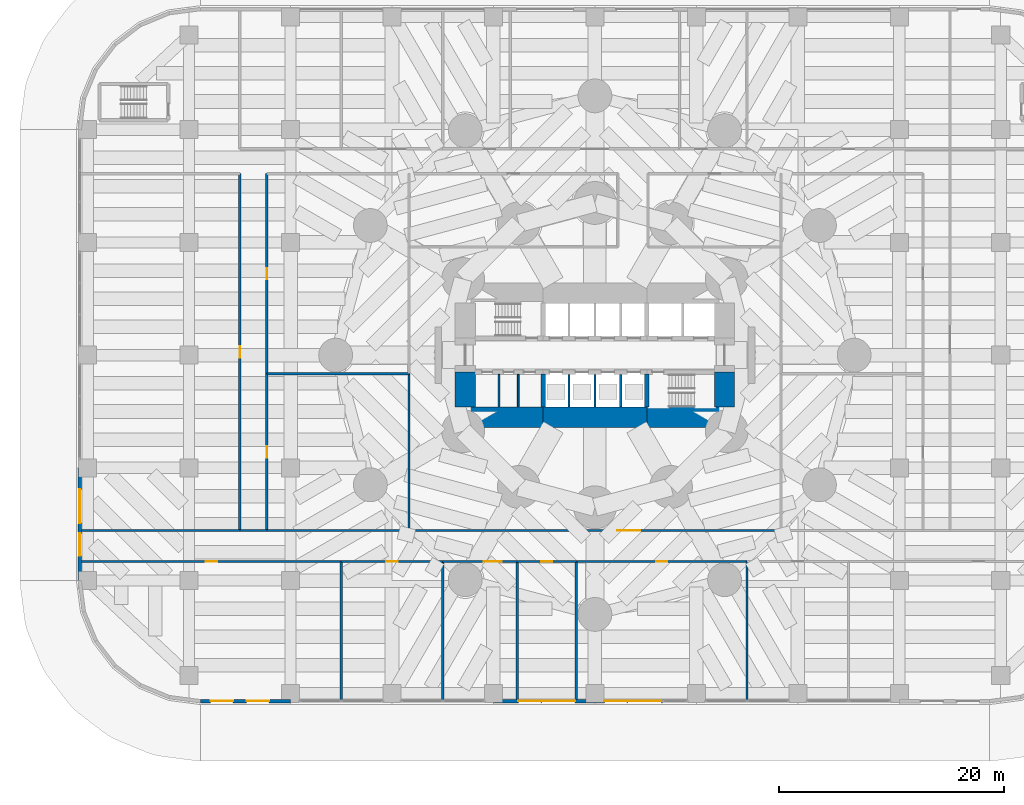
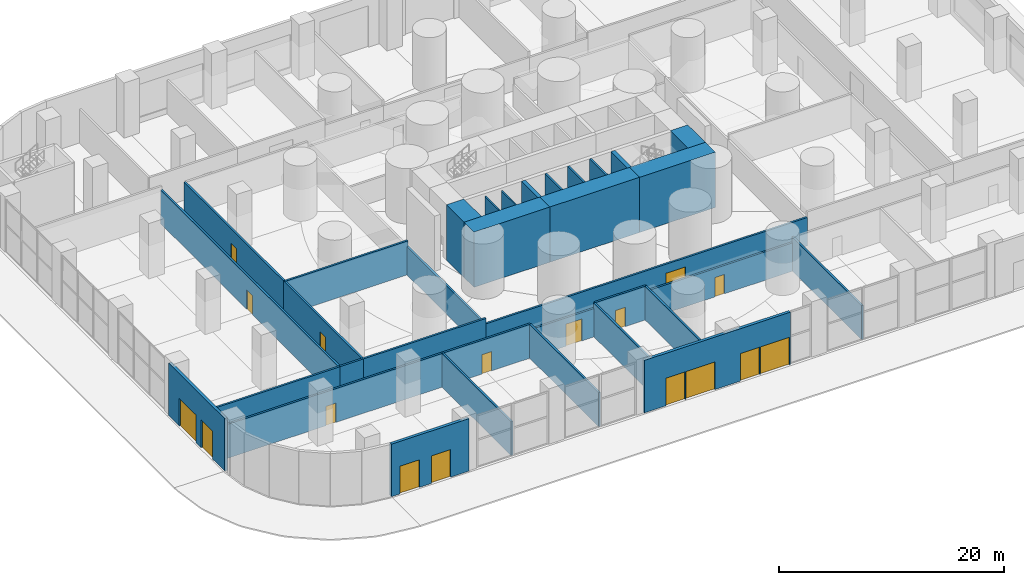
# One storey, part 12 of 20: 34 walls, 17 doors, 17 openings.
"""IFC4 building model written with IfcOpenShell, lengths in metres."""

from ifc_helpers import new_model, si_unit, direction, frame, frame_2d, origin, place, context, subcontext, project, spatial, rectangle, extrude, material, layer, layer_set, type_object, element, fill, save


model = new_model("IFC4")

# Units and contexts
model_context = context("Model", 3, precision=1e-05, world=origin(), true_north=direction((0.0, 1.0)))
body_context = subcontext(model_context, "Body", "Model", "MODEL_VIEW")
ifc_project = project(units=[si_unit("LENGTHUNIT", "METRE"), si_unit("AREAUNIT", "SQUARE_METRE"), si_unit("VOLUMEUNIT", "CUBIC_METRE"), si_unit("PLANEANGLEUNIT", "RADIAN"), si_unit("MASSUNIT", "GRAM", prefix="KILO")], contexts=[model_context])

# Site, building, storey
site_placement = place(None, origin())
site = spatial("IfcSite", under=ifc_project, at=site_placement, CompositionType="ELEMENT")
building_placement = place(site_placement, origin())
building = spatial("IfcBuilding", under=site, at=building_placement, Name="Qaws Media Tower", CompositionType="ELEMENT")
storey_placement = place(building_placement, origin())
storey = spatial("IfcBuildingStorey", under=building, at=storey_placement, Name="L00", CompositionType="ELEMENT", Elevation=0.0)

# Walls
ifc_material_1 = material(Name="Concrete C60/75", Category="concrete")
ifc_layer_1 = layer(ifc_material_1, 0.39990234375)
ifc_layer_set_1 = layer_set([ifc_layer_1], Name="Core inner wall 400")
wall_type_1 = type_object("IfcWallType", Name="Core inner wall 400", PredefinedType="SHEAR", material=ifc_layer_set_1)
for number, where, z_axis, x_axis, name in (
    (1, (55.39990234375, 48.320068359375, 0.0), (0.0, 0.0, 1.0), (0.0, -1.0, 0.0), "W312 SW4 core wall XSW L00"),
    (2, (64.60009765625, 48.320068359375, 0.0), (0.0, 0.0, 1.0), (0.0, -1.0, 0.0), "W316 SW4 core wall XSE L00"),
):
    element("IfcWall", number, at=place(storey_placement, frame(where, z_axis=z_axis, x_axis=x_axis)), inside=storey, type_object=wall_type_1, Name=name, PredefinedType="SHEAR", context=body_context, shape_type="SweptSolid", body=[
        extrude(rectangle(XDim=2.940185546875, YDim=0.39990234375, at=frame_2d((1.47021484375, 0.0))), origin(), (0.0, 0.0, 1.0), 6.0),
    ])
ifc_material_2 = material(Name="Concrete C60/75", Category="concrete")
ifc_layer_2 = layer(ifc_material_2, 1.800048828125)
ifc_layer_set_2 = layer_set([ifc_layer_2], Name="Core wall 1800")
wall_type_2 = type_object("IfcWallType", Name="Core wall 1800", PredefinedType="SHEAR", material=ifc_layer_set_2)
wall_1_placement = place(storey_placement, frame((47.60009765625, 44.5, 0.0), z_axis=(0.0, 0.0, 1.0), x_axis=(1.0, 0.0, 0.0)))
element("IfcWall", 3, at=wall_1_placement, inside=storey, type_object=wall_type_2, Name="W398 SW11 core wall SW L00", PredefinedType="SHEAR", context=body_context, shape_type="SweptSolid", body=[
    extrude(rectangle(XDim=7.7998046875, YDim=1.800048828125, at=frame_2d((3.89990234375, 0.0))), origin(), (0.0, 0.0, 1.0), 6.0),
])
wall_2_placement = place(storey_placement, frame((55.39990234375, 44.5, 0.0), z_axis=(0.0, 0.0, 1.0), x_axis=(1.0, 0.0, 0.0)))
element("IfcWall", 4, at=wall_2_placement, inside=storey, type_object=wall_type_2, Name="W403 SW11 core wall S L00", PredefinedType="SHEAR", context=body_context, shape_type="SweptSolid", body=[
    extrude(rectangle(XDim=9.2001953125, YDim=1.800048828125, at=frame_2d((4.60009765625, 0.0))), origin(), (0.0, 0.0, 1.0), 6.0),
])
wall_3_placement = place(storey_placement, frame((64.60009765625, 44.5, 0.0), z_axis=(0.0, 0.0, 1.0), x_axis=(1.0, 0.0, 0.0)))
element("IfcWall", 5, at=wall_3_placement, inside=storey, type_object=wall_type_2, Name="W405 SW11 core wall SE L00", PredefinedType="SHEAR", context=body_context, shape_type="SweptSolid", body=[
    extrude(rectangle(XDim=7.7998046875, YDim=1.800048828125, at=frame_2d((3.89990234375, 0.0))), origin(), (0.0, 0.0, 1.0), 6.0),
])
for number, where, z_axis, x_axis, name in (
    (6, (71.5, 45.3798828125, 0.0), (0.0, 0.0, 1.0), (0.0, 1.0, 0.0), "W407 SW11 core wall ES L00"),
    (7, (48.5, 45.3798828125, 0.0), (0.0, 0.0, 1.0), (0.0, 1.0, 0.0), "W400 SW11 core wall WS L00"),
):
    element("IfcWall", number, at=place(storey_placement, frame(where, z_axis=z_axis, x_axis=x_axis)), inside=storey, type_object=wall_type_2, Name=name, PredefinedType="SHEAR", context=body_context, shape_type="SweptSolid", body=[
        extrude(rectangle(XDim=3.1201171875, YDim=1.800048828125, at=frame_2d((1.56005859375, 0.0))), origin(), (0.0, 0.0, 1.0), 6.0),
    ])

# Wall, openings, doors
ifc_material_3 = material(Name="Precast concrete, exposed finish", Category="concrete")
ifc_layer_3 = layer(ifc_material_3, 0.300048828125)
ifc_layer_set_3 = layer_set([ifc_layer_3], Name="Podium facade wall 300")
wall_type_3 = type_object("IfcWallType", Name="Podium facade wall 300", PredefinedType="SOLIDWALL", material=ifc_layer_set_3)
wall_4_placement = place(storey_placement, frame((14.300048828125, 40.0, 0.0), z_axis=(0.0, 0.0, 1.0), x_axis=(0.0, -1.0, 0.0)))
wall_4 = element("IfcWall", 8, at=wall_4_placement, inside=storey, type_object=wall_type_3, Name="W764 EW2 podium wall L00-21", PredefinedType="SOLIDWALL", context=body_context, shape_type="SweptSolid", body=[
    extrude(rectangle(XDim=10.0, YDim=0.300048828125, at=frame_2d((5.0, 0.0))), origin(), (0.0, 0.0, 1.0), 5.699951171875),
])
opening_1_placement = place(wall_4_placement, frame((1.89990234375, 0.0, 0.0)))
opening_1 = element("IfcOpeningElement", 9, at=opening_1_placement, cuts=wall_4, Name="Opening D8", PredefinedType="OPENING", context=body_context, shape_type="SweptSolid", body=[
    extrude(rectangle(XDim=3.0, YDim=3.0, at=frame_2d((1.5, 1.5))), frame((0.0, 0.159912109375, 0.0), z_axis=(0.0, -1.0, 0.0), x_axis=(1.0, 0.0, 0.0)), (0.0, 0.0, 1.0), 0.320068359375),
])
opening_2_placement = place(wall_4_placement, frame((5.800048828125, 0.0, 0.0)))
opening_2 = element("IfcOpeningElement", 10, at=opening_2_placement, cuts=wall_4, Name="Opening D9", PredefinedType="OPENING", context=body_context, shape_type="SweptSolid", body=[
    extrude(rectangle(XDim=2.0, YDim=3.0, at=frame_2d((1.0, 1.5))), frame((0.0, 0.159912109375, 0.0), z_axis=(0.0, -1.0, 0.0), x_axis=(1.0, 0.0, 0.0)), (0.0, 0.0, 1.0), 0.320068359375),
])
ifc_material_4 = material(Name="Aluminium and clear glass", Category="aluminium")
door_type_1 = type_object("IfcDoorType", Name="Entrance door pair 3000", OperationType="DOUBLE_DOOR_SLIDING", PredefinedType="DOOR", material=ifc_material_4)
door_1_placement = place(opening_1_placement, origin())
door_1 = element("IfcDoor", 11, at=door_1_placement, inside=storey, type_object=door_type_1, Name="D8 door L00 bay 2 in wall W764", OperationType="DOUBLE_DOOR_SLIDING", OverallHeight=3.0, OverallWidth=3.0, PredefinedType="DOOR", context=body_context, shape_type="SweptSolid", body=[
    extrude(rectangle(XDim=3.0, YDim=3.0, at=frame_2d((1.5, 1.5))), frame((0.0, 0.02490234375, 0.0), z_axis=(0.0, -1.0, 0.0), x_axis=(1.0, 0.0, 0.0)), (0.0, 0.0, 1.0), 0.050048828125),
])
fill(opening_1, door_1)
ifc_material_5 = material(Name="Aluminium and clear glass", Category="aluminium")
door_type_2 = type_object("IfcDoorType", Name="Shop door pair 2000", OperationType="DOUBLE_DOOR_DOUBLE_SWING", PredefinedType="DOOR", material=ifc_material_5)
door_2_placement = place(opening_2_placement, origin())
door_2 = element("IfcDoor", 12, at=door_2_placement, inside=storey, type_object=door_type_2, Name="D9 door L00 bay 2b in wall W764", OperationType="DOUBLE_DOOR_DOUBLE_SWING", OverallHeight=3.0, OverallWidth=2.0, PredefinedType="DOOR", context=body_context, shape_type="SweptSolid", body=[
    extrude(rectangle(XDim=2.0, YDim=3.0, at=frame_2d((1.0, 1.5))), frame((0.0, 0.02490234375, 0.0), z_axis=(0.0, -1.0, 0.0), x_axis=(1.0, 0.0, 0.0)), (0.0, 0.0, 1.0), 0.050048828125),
])
fill(opening_2, door_2)

wall_5_placement = place(storey_placement, frame((25.0, 19.300048828125, 0.0), z_axis=(0.0, 0.0, 1.0), x_axis=(1.0, 0.0, 0.0)))
wall_5 = element("IfcWall", 13, at=wall_5_placement, inside=storey, type_object=wall_type_3, Name="W775 EW2 podium wall L00-28", PredefinedType="SOLIDWALL", context=body_context, shape_type="SweptSolid", body=[
    extrude(rectangle(XDim=8.0, YDim=0.300048828125, at=frame_2d((4.0, 0.0))), origin(), (0.0, 0.0, 1.0), 5.699951171875),
])
opening_3_placement = place(wall_5_placement, frame((0.89990234375, 0.0, 0.0)))
opening_3 = element("IfcOpeningElement", 14, at=opening_3_placement, cuts=wall_5, Name="Opening D9", PredefinedType="OPENING", context=body_context, shape_type="SweptSolid", body=[
    extrude(rectangle(XDim=2.0, YDim=3.0, at=frame_2d((1.0, 1.5))), frame((0.0, 0.159912109375, 0.0), z_axis=(0.0, -1.0, 0.0), x_axis=(1.0, 0.0, 0.0)), (0.0, 0.0, 1.0), 0.320068359375),
])
opening_4_placement = place(wall_5_placement, frame((4.10009765625, 0.0, 0.0)))
opening_4 = element("IfcOpeningElement", 15, at=opening_4_placement, cuts=wall_5, Name="Opening D9", PredefinedType="OPENING", context=body_context, shape_type="SweptSolid", body=[
    extrude(rectangle(XDim=2.0, YDim=3.0, at=frame_2d((1.0, 1.5))), frame((0.0, 0.159912109375, 0.0), z_axis=(0.0, -1.0, 0.0), x_axis=(1.0, 0.0, 0.0)), (0.0, 0.0, 1.0), 0.320068359375),
])
door_3_placement = place(opening_3_placement, origin())
door_3 = element("IfcDoor", 16, at=door_3_placement, inside=storey, type_object=door_type_2, Name="D9 door L00 bay 2 in wall W775", OperationType="DOUBLE_DOOR_DOUBLE_SWING", OverallHeight=3.0, OverallWidth=2.0, PredefinedType="DOOR", context=body_context, shape_type="SweptSolid", body=[
    extrude(rectangle(XDim=2.0, YDim=3.0, at=frame_2d((1.0, 1.5))), frame((0.0, 0.02490234375, 0.0), z_axis=(0.0, -1.0, 0.0), x_axis=(1.0, 0.0, 0.0)), (0.0, 0.0, 1.0), 0.050048828125),
])
fill(opening_3, door_3)
door_4_placement = place(opening_4_placement, origin())
door_4 = element("IfcDoor", 17, at=door_4_placement, inside=storey, type_object=door_type_2, Name="D9 door L00 bay 2b in wall W775", OperationType="DOUBLE_DOOR_DOUBLE_SWING", OverallHeight=3.0, OverallWidth=2.0, PredefinedType="DOOR", context=body_context, shape_type="SweptSolid", body=[
    extrude(rectangle(XDim=2.0, YDim=3.0, at=frame_2d((1.0, 1.5))), frame((0.0, 0.02490234375, 0.0), z_axis=(0.0, -1.0, 0.0), x_axis=(1.0, 0.0, 0.0)), (0.0, 0.0, 1.0), 0.050048828125),
])
fill(opening_4, door_4)

wall_6_placement = place(storey_placement, frame((51.0, 19.300048828125, 0.0), z_axis=(0.0, 0.0, 1.0), x_axis=(1.0, 0.0, 0.0)))
wall_6 = element("IfcWall", 18, at=wall_6_placement, inside=storey, type_object=wall_type_3, Name="W777 EW2 podium wall L00-28b", PredefinedType="SOLIDWALL", context=body_context, shape_type="SweptSolid", body=[
    extrude(rectangle(XDim=15.0, YDim=0.300048828125, at=frame_2d((7.5, 0.0))), origin(), (0.0, 0.0, 1.0), 5.699951171875),
])
opening_5_placement = place(wall_6_placement, frame((2.199951171875, 0.0, 0.0)))
opening_5 = element("IfcOpeningElement", 19, at=opening_5_placement, cuts=wall_6, Name="Opening D9", PredefinedType="OPENING", context=body_context, shape_type="SweptSolid", body=[
    extrude(rectangle(XDim=2.0, YDim=3.0, at=frame_2d((1.0, 1.5))), frame((0.0, 0.159912109375, 0.0), z_axis=(0.0, -1.0, 0.0), x_axis=(1.0, 0.0, 0.0)), (0.0, 0.0, 1.0), 0.320068359375),
])
opening_6_placement = place(wall_6_placement, frame((4.25, 0.0, 0.0)))
opening_6 = element("IfcOpeningElement", 20, at=opening_6_placement, cuts=wall_6, Name="Opening D8", PredefinedType="OPENING", context=body_context, shape_type="SweptSolid", body=[
    extrude(rectangle(XDim=3.0, YDim=3.0, at=frame_2d((1.5, 1.5))), frame((0.0, 0.159912109375, 0.0), z_axis=(0.0, -1.0, 0.0), x_axis=(1.0, 0.0, 0.0)), (0.0, 0.0, 1.0), 0.320068359375),
])
opening_7_placement = place(wall_6_placement, frame((9.85009765625, 0.0, 0.0)))
opening_7 = element("IfcOpeningElement", 21, at=opening_7_placement, cuts=wall_6, Name="Opening D9", PredefinedType="OPENING", context=body_context, shape_type="SweptSolid", body=[
    extrude(rectangle(XDim=2.0, YDim=3.0, at=frame_2d((1.0, 1.5))), frame((0.0, 0.159912109375, 0.0), z_axis=(0.0, -1.0, 0.0), x_axis=(1.0, 0.0, 0.0)), (0.0, 0.0, 1.0), 0.320068359375),
])
opening_8_placement = place(wall_6_placement, frame((11.89990234375, 0.0, 0.0)))
opening_8 = element("IfcOpeningElement", 22, at=opening_8_placement, cuts=wall_6, Name="Opening D8", PredefinedType="OPENING", context=body_context, shape_type="SweptSolid", body=[
    extrude(rectangle(XDim=3.0, YDim=3.0, at=frame_2d((1.5, 1.5))), frame((0.0, 0.159912109375, 0.0), z_axis=(0.0, -1.0, 0.0), x_axis=(1.0, 0.0, 0.0)), (0.0, 0.0, 1.0), 0.320068359375),
])
door_5_placement = place(opening_6_placement, origin())
door_5 = element("IfcDoor", 23, at=door_5_placement, inside=storey, type_object=door_type_1, Name="D8 door L00 bay 5b in wall W777", OperationType="DOUBLE_DOOR_SLIDING", OverallHeight=3.0, OverallWidth=3.0, PredefinedType="DOOR", context=body_context, shape_type="SweptSolid", body=[
    extrude(rectangle(XDim=3.0, YDim=3.0, at=frame_2d((1.5, 1.5))), frame((0.0, 0.02490234375, 0.0), z_axis=(0.0, -1.0, 0.0), x_axis=(1.0, 0.0, 0.0)), (0.0, 0.0, 1.0), 0.050048828125),
])
fill(opening_6, door_5)
door_6_placement = place(opening_8_placement, origin())
door_6 = element("IfcDoor", 24, at=door_6_placement, inside=storey, type_object=door_type_1, Name="D8 door L00 bay 6 in wall W777", OperationType="DOUBLE_DOOR_SLIDING", OverallHeight=3.0, OverallWidth=3.0, PredefinedType="DOOR", context=body_context, shape_type="SweptSolid", body=[
    extrude(rectangle(XDim=3.0, YDim=3.0, at=frame_2d((1.5, 1.5))), frame((0.0, 0.02490234375, 0.0), z_axis=(0.0, -1.0, 0.0), x_axis=(1.0, 0.0, 0.0)), (0.0, 0.0, 1.0), 0.050048828125),
])
fill(opening_8, door_6)
door_7_placement = place(opening_5_placement, origin())
door_7 = element("IfcDoor", 25, at=door_7_placement, inside=storey, type_object=door_type_2, Name="D9 door L00 bay 5 in wall W777", OperationType="DOUBLE_DOOR_DOUBLE_SWING", OverallHeight=3.0, OverallWidth=2.0, PredefinedType="DOOR", context=body_context, shape_type="SweptSolid", body=[
    extrude(rectangle(XDim=2.0, YDim=3.0, at=frame_2d((1.0, 1.5))), frame((0.0, 0.02490234375, 0.0), z_axis=(0.0, -1.0, 0.0), x_axis=(1.0, 0.0, 0.0)), (0.0, 0.0, 1.0), 0.050048828125),
])
fill(opening_5, door_7)
door_8_placement = place(opening_7_placement, origin())
door_8 = element("IfcDoor", 26, at=door_8_placement, inside=storey, type_object=door_type_2, Name="D9 door L00 bay 5c in wall W777", OperationType="DOUBLE_DOOR_DOUBLE_SWING", OverallHeight=3.0, OverallWidth=2.0, PredefinedType="DOOR", context=body_context, shape_type="SweptSolid", body=[
    extrude(rectangle(XDim=2.0, YDim=3.0, at=frame_2d((1.0, 1.5))), frame((0.0, 0.02490234375, 0.0), z_axis=(0.0, -1.0, 0.0), x_axis=(1.0, 0.0, 0.0)), (0.0, 0.0, 1.0), 0.050048828125),
])
fill(opening_7, door_8)

# Wall, opening, door
ifc_material_6 = material(Name="Gypsum board on galvanised metal studs, acoustic double stud, deflection head", Category="gypsum")
ifc_layer_4 = layer(ifc_material_6, 0.199951171875)
ifc_layer_set_4 = layer_set([ifc_layer_4], Name="Room partition 200")
wall_type_4 = type_object("IfcWallType", Name="Room partition 200", PredefinedType="PARTITIONING", material=ifc_layer_set_4)
wall_7_placement = place(storey_placement, frame((28.5, 34.449951171875, 0.0), z_axis=(0.0, 0.0, 1.0), x_axis=(0.0, 1.0, 0.0)))
wall_7 = element("IfcWall", 27, at=wall_7_placement, inside=storey, type_object=wall_type_4, Name="W844 IW3 partition L00", PredefinedType="PARTITIONING", context=body_context, shape_type="SweptSolid", body=[
    extrude(rectangle(XDim=31.650146484375, YDim=0.199951171875, at=frame_2d((15.8251953125, 0.0))), origin(), (0.0, 0.0, 1.0), 3.679931640625),
])
opening_9_placement = place(wall_7_placement, frame((15.324951171875, 0.0, 0.0)))
opening_9 = element("IfcOpeningElement", 28, at=opening_9_placement, cuts=wall_7, Name="Opening D5", PredefinedType="OPENING", context=body_context, shape_type="SweptSolid", body=[
    extrude(rectangle(XDim=1.0, YDim=2.10009765625, at=frame_2d((0.5, 1.050048828125))), frame((0.0, 0.10986328125, 0.0), z_axis=(0.0, -1.0, 0.0), x_axis=(1.0, 0.0, 0.0)), (0.0, 0.0, 1.0), 0.219970703125),
])
ifc_material_7 = material(Name="Timber veneered, acoustic seal", Category="wood")
door_type_3 = type_object("IfcDoorType", Name="Room door 1000", OperationType="SINGLE_SWING_LEFT", PredefinedType="DOOR", material=ifc_material_7)
door_9_placement = place(opening_9_placement, origin())
door_9 = element("IfcDoor", 29, at=door_9_placement, inside=storey, type_object=door_type_3, Name="D5 Visitor centre door in wall W844", OperationType="SINGLE_SWING_LEFT", OverallHeight=2.10009765625, OverallWidth=1.0, PredefinedType="DOOR", context=body_context, shape_type="SweptSolid", body=[
    extrude(rectangle(XDim=1.0, YDim=2.10009765625, at=frame_2d((0.5, 1.050048828125))), frame((0.0, 0.02490234375, 0.0), z_axis=(0.0, -1.0, 0.0), x_axis=(1.0, 0.0, 0.0)), (0.0, 0.0, 1.0), 0.050048828125),
])
fill(opening_9, door_9)

wall_8_placement = place(storey_placement, frame((30.89990234375, 34.449951171875, 0.0), z_axis=(0.0, 0.0, 1.0), x_axis=(0.0, 1.0, 0.0)))
wall_8 = element("IfcWall", 30, at=wall_8_placement, inside=storey, type_object=wall_type_4, Name="W848 IW3 partition L00", PredefinedType="PARTITIONING", context=body_context, shape_type="SweptSolid", body=[
    extrude(rectangle(XDim=13.900146484375, YDim=0.199951171875, at=frame_2d((6.9501953125, 0.0))), origin(), (0.0, 0.0, 1.0), 3.679931640625),
])
opening_10_placement = place(wall_8_placement, frame((6.449951171875, 0.0, 0.0)))
opening_10 = element("IfcOpeningElement", 31, at=opening_10_placement, cuts=wall_8, Name="Opening D5", PredefinedType="OPENING", context=body_context, shape_type="SweptSolid", body=[
    extrude(rectangle(XDim=1.0, YDim=2.10009765625, at=frame_2d((0.5, 1.050048828125))), frame((0.0, 0.10986328125, 0.0), z_axis=(0.0, -1.0, 0.0), x_axis=(1.0, 0.0, 0.0)), (0.0, 0.0, 1.0), 0.219970703125),
])
door_10_placement = place(opening_10_placement, origin())
door_10 = element("IfcDoor", 32, at=door_10_placement, inside=storey, type_object=door_type_3, Name="D5 Broadcast heritage gallery door in wall W848", OperationType="SINGLE_SWING_LEFT", OverallHeight=2.10009765625, OverallWidth=1.0, PredefinedType="DOOR", context=body_context, shape_type="SweptSolid", body=[
    extrude(rectangle(XDim=1.0, YDim=2.10009765625, at=frame_2d((0.5, 1.050048828125))), frame((0.0, 0.02490234375, 0.0), z_axis=(0.0, -1.0, 0.0), x_axis=(1.0, 0.0, 0.0)), (0.0, 0.0, 1.0), 0.050048828125),
])
fill(opening_10, door_10)

wall_9_placement = place(storey_placement, frame((30.89990234375, 48.35009765625, 0.0), z_axis=(0.0, 0.0, 1.0), x_axis=(0.0, 1.0, 0.0)))
wall_9 = element("IfcWall", 33, at=wall_9_placement, inside=storey, type_object=wall_type_4, Name="W850 IW3 partition L00", PredefinedType="PARTITIONING", context=body_context, shape_type="SweptSolid", body=[
    extrude(rectangle(XDim=17.75, YDim=0.199951171875, at=frame_2d((8.875, 0.0))), origin(), (0.0, 0.0, 1.0), 3.679931640625),
])
opening_11_placement = place(wall_9_placement, frame((8.375, 0.0, 0.0)))
opening_11 = element("IfcOpeningElement", 34, at=opening_11_placement, cuts=wall_9, Name="Opening D5", PredefinedType="OPENING", context=body_context, shape_type="SweptSolid", body=[
    extrude(rectangle(XDim=1.0, YDim=2.10009765625, at=frame_2d((0.5, 1.050048828125))), frame((0.0, 0.10986328125, 0.0), z_axis=(0.0, -1.0, 0.0), x_axis=(1.0, 0.0, 0.0)), (0.0, 0.0, 1.0), 0.219970703125),
])
door_11_placement = place(opening_11_placement, origin())
door_11 = element("IfcDoor", 35, at=door_11_placement, inside=storey, type_object=door_type_3, Name="D5 Cafe door in wall W850", OperationType="SINGLE_SWING_LEFT", OverallHeight=2.10009765625, OverallWidth=1.0, PredefinedType="DOOR", context=body_context, shape_type="SweptSolid", body=[
    extrude(rectangle(XDim=1.0, YDim=2.10009765625, at=frame_2d((0.5, 1.050048828125))), frame((0.0, 0.02490234375, 0.0), z_axis=(0.0, -1.0, 0.0), x_axis=(1.0, 0.0, 0.0)), (0.0, 0.0, 1.0), 0.050048828125),
])
fill(opening_11, door_11)

# Walls
wall_10_placement = place(storey_placement, frame((37.5, 19.3349609375, 0.0), z_axis=(0.0, 0.0, 1.0), x_axis=(0.0, 1.0, 0.0)))
element("IfcWall", 36, at=wall_10_placement, inside=storey, type_object=wall_type_4, Name="W852 IW3 partition L00", PredefinedType="PARTITIONING", context=body_context, shape_type="SweptSolid", body=[
    extrude(rectangle(XDim=12.364990234375, YDim=0.199951171875, at=frame_2d((6.1826171875, 0.0))), origin(), (0.0, 0.0, 1.0), 3.679931640625),
])
wall_11_placement = place(storey_placement, frame((43.5, 34.449951171875, 0.0), z_axis=(0.0, 0.0, 1.0), x_axis=(0.0, 1.0, 0.0)))
element("IfcWall", 37, at=wall_11_placement, inside=storey, type_object=wall_type_4, Name="W856 IW3 partition L00", PredefinedType="PARTITIONING", context=body_context, shape_type="SweptSolid", body=[
    extrude(rectangle(XDim=13.900146484375, YDim=0.199951171875, at=frame_2d((6.9501953125, 0.0))), origin(), (0.0, 0.0, 1.0), 3.080078125),
])
wall_12_placement = place(storey_placement, frame((46.5, 19.3349609375, 0.0), z_axis=(0.0, 0.0, 1.0), x_axis=(0.0, 1.0, 0.0)))
element("IfcWall", 38, at=wall_12_placement, inside=storey, type_object=wall_type_4, Name="W859 IW3 partition L00", PredefinedType="PARTITIONING", context=body_context, shape_type="SweptSolid", body=[
    extrude(rectangle(XDim=12.364990234375, YDim=0.199951171875, at=frame_2d((6.1826171875, 0.0))), origin(), (0.0, 0.0, 1.0), 3.679931640625),
])
for number, where, z_axis, x_axis, name in (
    (39, (53.10009765625, 19.455078125, 0.0), (0.0, 0.0, 1.0), (0.0, 1.0, 0.0), "W865 IW3 partition L00"),
    (40, (58.35009765625, 19.455078125, 0.0), (0.0, 0.0, 1.0), (0.0, 1.0, 0.0), "W867 IW3 partition L00"),
):
    element("IfcWall", number, at=place(storey_placement, frame(where, z_axis=z_axis, x_axis=x_axis)), inside=storey, type_object=wall_type_4, Name=name, PredefinedType="PARTITIONING", context=body_context, shape_type="SweptSolid", body=[
        extrude(rectangle(XDim=12.244873046875, YDim=0.199951171875, at=frame_2d((6.12255859375, 0.0))), origin(), (0.0, 0.0, 1.0), 3.679931640625),
    ])
wall_13_placement = place(storey_placement, frame((73.5, 19.3349609375, 0.0), z_axis=(0.0, 0.0, 1.0), x_axis=(0.0, 1.0, 0.0)))
element("IfcWall", 41, at=wall_13_placement, inside=storey, type_object=wall_type_4, Name="W871 IW3 partition L00", PredefinedType="PARTITIONING", context=body_context, shape_type="SweptSolid", body=[
    extrude(rectangle(XDim=12.364990234375, YDim=0.199951171875, at=frame_2d((6.1826171875, 0.0))), origin(), (0.0, 0.0, 1.0), 3.679931640625),
])

# Wall, opening, door
wall_14_placement = place(storey_placement, frame((14.455078125, 31.699951171875, 0.0), z_axis=(0.0, 0.0, 1.0), x_axis=(1.0, 0.0, 0.0)))
wall_14 = element("IfcWall", 42, at=wall_14_placement, inside=storey, type_object=wall_type_4, Name="W842 IW3 partition L00", PredefinedType="PARTITIONING", context=body_context, shape_type="SweptSolid", body=[
    extrude(rectangle(XDim=23.044921875, YDim=0.199951171875, at=frame_2d((11.5224609375, 0.0))), origin(), (0.0, 0.0, 1.0), 3.679931640625),
])
opening_12_placement = place(wall_14_placement, frame((11.0224609375, 0.0, 0.0)))
opening_12 = element("IfcOpeningElement", 43, at=opening_12_placement, cuts=wall_14, Name="Opening D5", PredefinedType="OPENING", context=body_context, shape_type="SweptSolid", body=[
    extrude(rectangle(XDim=1.0, YDim=2.10009765625, at=frame_2d((0.5, 1.050048828125))), frame((0.0, 0.10986328125, 0.0), z_axis=(0.0, -1.0, 0.0), x_axis=(1.0, 0.0, 0.0)), (0.0, 0.0, 1.0), 0.219970703125),
])
door_12_placement = place(opening_12_placement, origin())
door_12 = element("IfcDoor", 44, at=door_12_placement, inside=storey, type_object=door_type_3, Name="D5 Retail unit 1 door in wall W842", OperationType="SINGLE_SWING_LEFT", OverallHeight=2.10009765625, OverallWidth=1.0, PredefinedType="DOOR", context=body_context, shape_type="SweptSolid", body=[
    extrude(rectangle(XDim=1.0, YDim=2.10009765625, at=frame_2d((0.5, 1.050048828125))), frame((0.0, 0.02490234375, 0.0), z_axis=(0.0, -1.0, 0.0), x_axis=(1.0, 0.0, 0.0)), (0.0, 0.0, 1.0), 0.050048828125),
])
fill(opening_12, door_12)

wall_15_placement = place(storey_placement, frame((37.5, 31.699951171875, 0.0), z_axis=(0.0, 0.0, 1.0), x_axis=(1.0, 0.0, 0.0)))
wall_15 = element("IfcWall", 45, at=wall_15_placement, inside=storey, type_object=wall_type_4, Name="W853 IW3 partition L00", PredefinedType="PARTITIONING", context=body_context, shape_type="SweptSolid", body=[
    extrude(rectangle(XDim=9.0, YDim=0.199951171875, at=frame_2d((4.5, 0.0))), origin(), (0.0, 0.0, 1.0), 3.679931640625),
])
opening_13_placement = place(wall_15_placement, frame((4.0, 0.0, 0.0)))
opening_13 = element("IfcOpeningElement", 46, at=opening_13_placement, cuts=wall_15, Name="Opening D5", PredefinedType="OPENING", context=body_context, shape_type="SweptSolid", body=[
    extrude(rectangle(XDim=1.0, YDim=2.10009765625, at=frame_2d((0.5, 1.050048828125))), frame((0.0, 0.10986328125, 0.0), z_axis=(0.0, -1.0, 0.0), x_axis=(1.0, 0.0, 0.0)), (0.0, 0.0, 1.0), 0.219970703125),
])
door_13_placement = place(opening_13_placement, origin())
door_13 = element("IfcDoor", 47, at=door_13_placement, inside=storey, type_object=door_type_3, Name="D5 Fire command centre door in wall W853", OperationType="SINGLE_SWING_LEFT", OverallHeight=2.10009765625, OverallWidth=1.0, PredefinedType="DOOR", context=body_context, shape_type="SweptSolid", body=[
    extrude(rectangle(XDim=1.0, YDim=2.10009765625, at=frame_2d((0.5, 1.050048828125))), frame((0.0, 0.02490234375, 0.0), z_axis=(0.0, -1.0, 0.0), x_axis=(1.0, 0.0, 0.0)), (0.0, 0.0, 1.0), 0.050048828125),
])
fill(opening_13, door_13)

wall_16_placement = place(storey_placement, frame((46.5, 31.699951171875, 0.0), z_axis=(0.0, 0.0, 1.0), x_axis=(1.0, 0.0, 0.0)))
wall_16 = element("IfcWall", 48, at=wall_16_placement, inside=storey, type_object=wall_type_4, Name="W860 IW3 partition L00", PredefinedType="PARTITIONING", context=body_context, shape_type="SweptSolid", body=[
    extrude(rectangle(XDim=6.60009765625, YDim=0.199951171875, at=frame_2d((3.300048828125, 0.0))), origin(), (0.0, 0.0, 1.0), 3.080078125),
])
opening_14_placement = place(wall_16_placement, frame((3.64990234375, 0.0, 0.0)))
opening_14 = element("IfcOpeningElement", 49, at=opening_14_placement, cuts=wall_16, Name="Opening D16", PredefinedType="OPENING", context=body_context, shape_type="SweptSolid", body=[
    extrude(rectangle(XDim=1.60009765625, YDim=2.39990234375, at=frame_2d((0.800048828125, 1.199951171875))), frame((0.0, 0.10986328125, 0.0), z_axis=(0.0, -1.0, 0.0), x_axis=(1.0, 0.0, 0.0)), (0.0, 0.0, 1.0), 0.219970703125),
])
ifc_material_8 = material(Name="Glazed aluminium, fire rated", Category="aluminium")
door_type_4 = type_object("IfcDoorType", Name="Tenant entrance door pair 1600x2400", OperationType="DOUBLE_DOOR_DOUBLE_SWING", PredefinedType="DOOR", material=ifc_material_8)
door_14_placement = place(opening_14_placement, origin())
door_14 = element("IfcDoor", 50, at=door_14_placement, inside=storey, type_object=door_type_4, Name="D16 Visitor reception door in wall W860", OperationType="DOUBLE_DOOR_DOUBLE_SWING", OverallHeight=2.39990234375, OverallWidth=1.60009765625, PredefinedType="DOOR", context=body_context, shape_type="SweptSolid", body=[
    extrude(rectangle(XDim=1.60009765625, YDim=2.39990234375, at=frame_2d((0.800048828125, 1.199951171875))), frame((0.0, 0.02490234375, 0.0), z_axis=(0.0, -1.0, 0.0), x_axis=(1.0, 0.0, 0.0)), (0.0, 0.0, 1.0), 0.050048828125),
])
fill(opening_14, door_14)

wall_17_placement = place(storey_placement, frame((53.10009765625, 31.699951171875, 0.0), z_axis=(0.0, 0.0, 1.0), x_axis=(1.0, 0.0, 0.0)))
wall_17 = element("IfcWall", 51, at=wall_17_placement, inside=storey, type_object=wall_type_4, Name="W866 IW3 partition L00", PredefinedType="PARTITIONING", context=body_context, shape_type="SweptSolid", body=[
    extrude(rectangle(XDim=5.25, YDim=0.199951171875, at=frame_2d((2.625, 0.0))), origin(), (0.0, 0.0, 1.0), 3.679931640625),
])
opening_15_placement = place(wall_17_placement, frame((2.125, 0.0, 0.0)))
opening_15 = element("IfcOpeningElement", 52, at=opening_15_placement, cuts=wall_17, Name="Opening D5", PredefinedType="OPENING", context=body_context, shape_type="SweptSolid", body=[
    extrude(rectangle(XDim=1.0, YDim=2.10009765625, at=frame_2d((0.5, 1.050048828125))), frame((0.0, 0.10986328125, 0.0), z_axis=(0.0, -1.0, 0.0), x_axis=(1.0, 0.0, 0.0)), (0.0, 0.0, 1.0), 0.219970703125),
])
door_15_placement = place(opening_15_placement, origin())
door_15 = element("IfcDoor", 53, at=door_15_placement, inside=storey, type_object=door_type_3, Name="D5 Entrance hall door in wall W866", OperationType="SINGLE_SWING_LEFT", OverallHeight=2.10009765625, OverallWidth=1.0, PredefinedType="DOOR", context=body_context, shape_type="SweptSolid", body=[
    extrude(rectangle(XDim=1.0, YDim=2.10009765625, at=frame_2d((0.5, 1.050048828125))), frame((0.0, 0.02490234375, 0.0), z_axis=(0.0, -1.0, 0.0), x_axis=(1.0, 0.0, 0.0)), (0.0, 0.0, 1.0), 0.050048828125),
])
fill(opening_15, door_15)

wall_18_placement = place(storey_placement, frame((58.35009765625, 31.699951171875, 0.0), z_axis=(0.0, 0.0, 1.0), x_axis=(1.0, 0.0, 0.0)))
wall_18 = element("IfcWall", 54, at=wall_18_placement, inside=storey, type_object=wall_type_4, Name="W868 IW3 partition L00", PredefinedType="PARTITIONING", context=body_context, shape_type="SweptSolid", body=[
    extrude(rectangle(XDim=15.14990234375, YDim=0.199951171875, at=frame_2d((7.574951171875, 0.0))), origin(), (0.0, 0.0, 1.0), 3.080078125),
])
opening_16_placement = place(wall_18_placement, frame((7.074951171875, 0.0, 0.0)))
opening_16 = element("IfcOpeningElement", 55, at=opening_16_placement, cuts=wall_18, Name="Opening D5", PredefinedType="OPENING", context=body_context, shape_type="SweptSolid", body=[
    extrude(rectangle(XDim=1.0, YDim=2.10009765625, at=frame_2d((0.5, 1.050048828125))), frame((0.0, 0.10986328125, 0.0), z_axis=(0.0, -1.0, 0.0), x_axis=(1.0, 0.0, 0.0)), (0.0, 0.0, 1.0), 0.219970703125),
])
door_16_placement = place(opening_16_placement, origin())
door_16 = element("IfcDoor", 56, at=door_16_placement, inside=storey, type_object=door_type_3, Name="D5 Press office door in wall W868", OperationType="SINGLE_SWING_LEFT", OverallHeight=2.10009765625, OverallWidth=1.0, PredefinedType="DOOR", context=body_context, shape_type="SweptSolid", body=[
    extrude(rectangle(XDim=1.0, YDim=2.10009765625, at=frame_2d((0.5, 1.050048828125))), frame((0.0, 0.02490234375, 0.0), z_axis=(0.0, -1.0, 0.0), x_axis=(1.0, 0.0, 0.0)), (0.0, 0.0, 1.0), 0.050048828125),
])
fill(opening_16, door_16)

# Walls
wall_19_placement = place(storey_placement, frame((14.455078125, 34.449951171875, 0.0), z_axis=(0.0, 0.0, 1.0), x_axis=(1.0, 0.0, 0.0)))
element("IfcWall", 57, at=wall_19_placement, inside=storey, type_object=wall_type_4, Name="W843 IW3 partition L00", PredefinedType="PARTITIONING", context=body_context, shape_type="SweptSolid", body=[
    extrude(rectangle(XDim=14.044921875, YDim=0.199951171875, at=frame_2d((7.0224609375, 0.0))), origin(), (0.0, 0.0, 1.0), 3.679931640625),
])
wall_20_placement = place(storey_placement, frame((28.5, 34.449951171875, 0.0), z_axis=(0.0, 0.0, 1.0), x_axis=(1.0, 0.0, 0.0)))
element("IfcWall", 58, at=wall_20_placement, inside=storey, type_object=wall_type_4, Name="W845 IW3 partition L00", PredefinedType="PARTITIONING", context=body_context, shape_type="SweptSolid", body=[
    extrude(rectangle(XDim=2.39990234375, YDim=0.199951171875, at=frame_2d((1.199951171875, 0.0))), origin(), (0.0, 0.0, 1.0), 3.679931640625),
])
wall_21_placement = place(storey_placement, frame((30.89990234375, 34.449951171875, 0.0), z_axis=(0.0, 0.0, 1.0), x_axis=(1.0, 0.0, 0.0)))
element("IfcWall", 59, at=wall_21_placement, inside=storey, type_object=wall_type_4, Name="W849 IW3 partition L00", PredefinedType="PARTITIONING", context=body_context, shape_type="SweptSolid", body=[
    extrude(rectangle(XDim=12.60009765625, YDim=0.199951171875, at=frame_2d((6.300048828125, 0.0))), origin(), (0.0, 0.0, 1.0), 3.679931640625),
])

# Wall, opening, door
wall_22_placement = place(storey_placement, frame((43.5, 34.449951171875, 0.0), z_axis=(0.0, 0.0, 1.0), x_axis=(1.0, 0.0, 0.0)))
wall_22 = element("IfcWall", 60, at=wall_22_placement, inside=storey, type_object=wall_type_4, Name="W857 IW3 partition L00", PredefinedType="PARTITIONING", context=body_context, shape_type="SweptSolid", body=[
    extrude(rectangle(XDim=33.0, YDim=0.199951171875, at=frame_2d((16.5, 0.0))), origin(), (0.0, 0.0, 1.0), 3.080078125),
])
opening_17_placement = place(wall_22_placement, frame((18.5, 0.0, 0.0)))
opening_17 = element("IfcOpeningElement", 61, at=opening_17_placement, cuts=wall_22, Name="Opening D6", PredefinedType="OPENING", context=body_context, shape_type="SweptSolid", body=[
    extrude(rectangle(XDim=2.0, YDim=2.10009765625, at=frame_2d((1.0, 1.050048828125))), frame((0.0, 0.10986328125, 0.0), z_axis=(0.0, -1.0, 0.0), x_axis=(1.0, 0.0, 0.0)), (0.0, 0.0, 1.0), 0.219970703125),
])
ifc_material_9 = material(Name="Steel, acoustic, fire rated", Category="steel")
door_type_5 = type_object("IfcDoorType", Name="Room door pair 2000", OperationType="DOUBLE_DOOR_DOUBLE_SWING", PredefinedType="DOOR", material=ifc_material_9)
door_17_placement = place(opening_17_placement, origin())
door_17 = element("IfcDoor", 62, at=door_17_placement, inside=storey, type_object=door_type_5, Name="D6 Concourse door in wall W857", OperationType="DOUBLE_DOOR_DOUBLE_SWING", OverallHeight=2.10009765625, OverallWidth=2.0, PredefinedType="DOOR", context=body_context, shape_type="SweptSolid", body=[
    extrude(rectangle(XDim=2.0, YDim=2.10009765625, at=frame_2d((1.0, 1.050048828125))), frame((0.0, 0.02490234375, 0.0), z_axis=(0.0, -1.0, 0.0), x_axis=(1.0, 0.0, 0.0)), (0.0, 0.0, 1.0), 0.050048828125),
])
fill(opening_17, door_17)

# Walls
wall_23_placement = place(storey_placement, frame((30.89990234375, 48.35009765625, 0.0), z_axis=(0.0, 0.0, 1.0), x_axis=(1.0, 0.0, 0.0)))
element("IfcWall", 63, at=wall_23_placement, inside=storey, type_object=wall_type_4, Name="W851 IW3 partition L00", PredefinedType="PARTITIONING", context=body_context, shape_type="SweptSolid", body=[
    extrude(rectangle(XDim=12.60009765625, YDim=0.199951171875, at=frame_2d((6.300048828125, 0.0))), origin(), (0.0, 0.0, 1.0), 3.679931640625),
])
ifc_material_10 = material(Name="Fire-rated gypsum board shaft wall on galvanised metal studs, deflection head", Category="gypsum")
ifc_layer_5 = layer(ifc_material_10, 0.199951171875)
ifc_layer_set_5 = layer_set([ifc_layer_5], Name="Shaft wall 200")
wall_type_5 = type_object("IfcWallType", Name="Shaft wall 200", PredefinedType="PARTITIONING", material=ifc_layer_set_5)
for number, where, z_axis, x_axis, name in (
    (64, (57.699951171875, 45.39990234375, 0.0), (0.0, 0.0, 1.0), (0.0, 1.0, 0.0), "W1835 IW1 shaft wall S1 L00"),
    (65, (60.0, 45.39990234375, 0.0), (0.0, 0.0, 1.0), (0.0, 1.0, 0.0), "W1837 IW1 shaft wall S2 L00"),
    (66, (62.300048828125, 45.39990234375, 0.0), (0.0, 0.0, 1.0), (0.0, 1.0, 0.0), "W1839 IW1 shaft wall S3 L00"),
):
    element("IfcWall", number, at=place(storey_placement, frame(where, z_axis=z_axis, x_axis=x_axis)), inside=storey, type_object=wall_type_5, Name=name, PredefinedType="PARTITIONING", context=body_context, shape_type="SweptSolid", body=[
        extrude(rectangle(XDim=2.900146484375, YDim=0.199951171875, at=frame_2d((1.4501953125, 0.0))), origin(), (0.0, 0.0, 1.0), 6.0),
    ])
ifc_material_11 = material(Name="Gypsum board on galvanised metal studs, deflection head", Category="gypsum")
ifc_layer_6 = layer(ifc_material_11, 0.14990234375)
ifc_layer_set_6 = layer_set([ifc_layer_6], Name="WC partition 150")
wall_type_6 = type_object("IfcWallType", Name="WC partition 150", PredefinedType="PARTITIONING", material=ifc_layer_set_6)
for number, where, z_axis, x_axis, name in (
    (67, (51.5, 45.39990234375, 0.0), (0.0, 0.0, 1.0), (0.0, 1.0, 0.0), "W1898 IW2 toilet partition 1 L00"),
    (68, (53.199951171875, 45.39990234375, 0.0), (0.0, 0.0, 1.0), (0.0, 1.0, 0.0), "W1899 IW2 toilet partition 2 L00"),
):
    element("IfcWall", number, at=place(storey_placement, frame(where, z_axis=z_axis, x_axis=x_axis)), inside=storey, type_object=wall_type_6, Name=name, PredefinedType="PARTITIONING", context=body_context, shape_type="SweptSolid", body=[
        extrude(rectangle(XDim=2.900146484375, YDim=0.14990234375, at=frame_2d((1.4501953125, 0.0))), origin(), (0.0, 0.0, 1.0), 5.699951171875),
    ])

save(model, "model.ifc")
